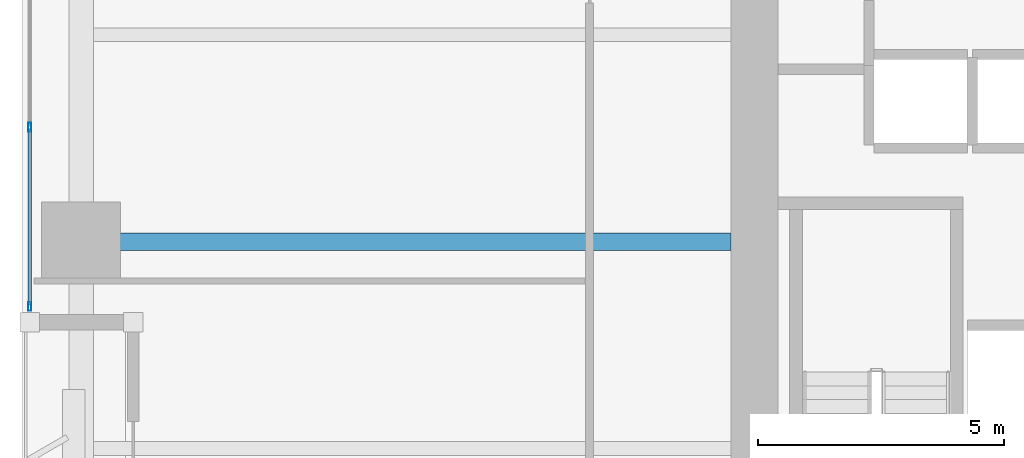
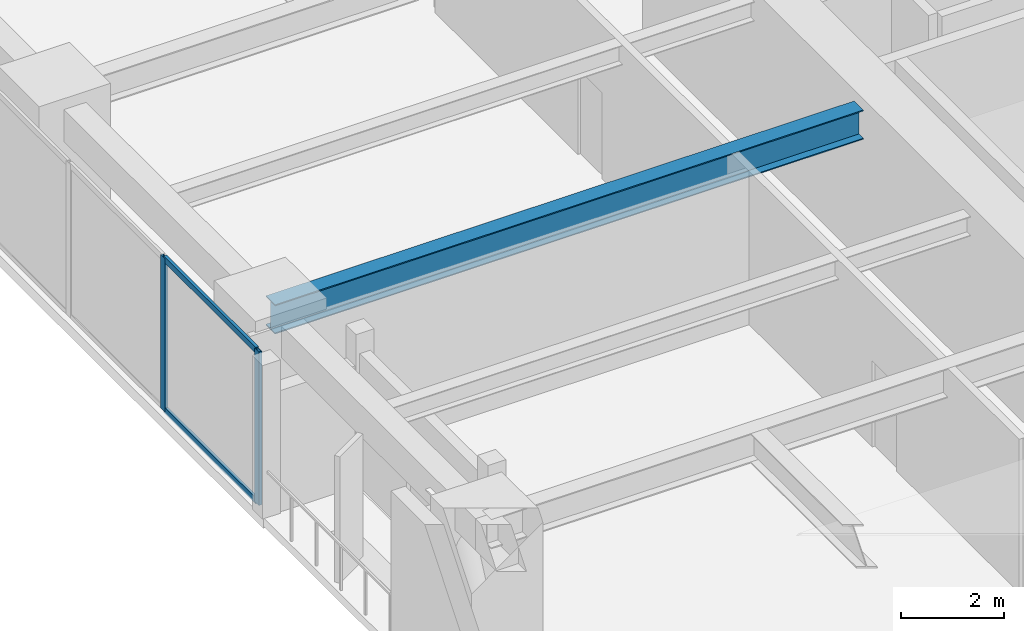
# One storey, part 2 of 28: 4 members, 1 beam, 1 element without a shape of its own.
"""IFC4 building model written with IfcOpenShell, lengths in metres."""

from ifc_helpers import new_model, si_unit, direction, frame, origin, origin_2d, place, context, subcontext, project, spatial, hollow_rectangle, i_section, extrude, material, layer, layer_set, material_profile, profile_set, type_object, element, aggregate, save


model = new_model("IFC4")

# Units and contexts
model_context = context("Model", 3, precision=1e-05, world=origin(), true_north=direction((0.0, 1.0)))
body_context = subcontext(model_context, "Body", "Model", "MODEL_VIEW")
ifc_project = project(units=[si_unit("LENGTHUNIT", "METRE"), si_unit("AREAUNIT", "SQUARE_METRE"), si_unit("VOLUMEUNIT", "CUBIC_METRE"), si_unit("PLANEANGLEUNIT", "RADIAN"), si_unit("MASSUNIT", "GRAM", prefix="KILO")], contexts=[model_context])

# Site, building, storey
site_placement = place(None, origin())
site = spatial("IfcSite", under=ifc_project, at=site_placement, CompositionType="ELEMENT")
building_placement = place(site_placement, origin())
building = spatial("IfcBuilding", under=site, at=building_placement, Name="Kiyonajd Concourse Tower", CompositionType="ELEMENT")
storey_placement = place(building_placement, frame((0.0, 0.0, 64.5)))
storey = spatial("IfcBuildingStorey", under=building, at=storey_placement, Name="L17", CompositionType="ELEMENT", Elevation=64.5)

# Beam
ifc_material_1 = material(Name="Steel ASTM A992 Grade 50", Category="steel")
ifc_material_profile_1 = material_profile(ifc_material_1, i_section(OverallWidth=0.35498046875, OverallDepth=0.695068359375, WebThickness=0.015380859375, FlangeThickness=0.02490234375, at=origin_2d()), Name="W690X217")
ifc_profile_set_1 = profile_set([ifc_material_profile_1], Name="Steel ASTM A992 Grade 50")
beam_type = type_object("IfcBeamType", Name="BM-TWR-690", PredefinedType="BEAM", material=ifc_profile_set_1)
beam_placement = place(storey_placement, frame((19.199951171875, 36.0, 3.29248046875), z_axis=(1.0, 0.0, 0.0), x_axis=(0.0, 1.0, 0.0)))
element("IfcBeam", 1, at=beam_placement, inside=storey, type_object=beam_type, Name="L17 West Lease Girder", PredefinedType="BEAM", context=body_context, shape_type="SweptSolid", body=[
    extrude(i_section(OverallWidth=0.35498046875, OverallDepth=0.695068359375, WebThickness=0.015380859375, FlangeThickness=0.02490234375, at=origin_2d()), origin(), (0.0, 0.0, 1.0), 13.199951171875),
])

# Curtain wall, members
ifc_material_2 = material(Name="Thermally Broken Anodised Aluminium", Category="aluminium")
ifc_layer = layer(ifc_material_2, 0.179931640625)
ifc_layer_set = layer_set([ifc_layer], Name="Thermally Broken Anodised Aluminium")
curtain_wall_type = type_object("IfcCurtainWallType", Name="CW-SYS-02", PredefinedType="NOTDEFINED", material=ifc_layer_set)
curtain_wall_placement = place(storey_placement, origin())
curtain_wall = element("IfcCurtainWall", 2, at=curtain_wall_placement, inside=storey, type_object=curtain_wall_type, Name="L17 Unitised Curtain Wall CW2", PredefinedType="NOTDEFINED")
ifc_material_profile_2 = material_profile(ifc_material_2, hollow_rectangle(XDim=0.06494140625, YDim=0.179931640625, WallThickness=0.00390625, at=origin_2d()), Name="MULL-65x180")
ifc_profile_set_2 = profile_set([ifc_material_profile_2], Name="Thermally Broken Anodised Aluminium")
member_type_1 = type_object("IfcMemberType", Name="MB-CW-MULL1", PredefinedType="MULLION", material=ifc_profile_set_2)
member_1_placement = place(storey_placement, frame((18.159912109375, 34.6826171875, 0.0), z_axis=(0.0, 0.0, 1.0), x_axis=(-1.0, 0.0, 0.0)))
member_1 = element("IfcMember", 3, at=member_1_placement, type_object=member_type_1, Name="CW2 mullion 1", PredefinedType="MULLION", context=body_context, shape_type="SweptSolid", body=[
    extrude(hollow_rectangle(XDim=0.06494140625, YDim=0.179931640625, WallThickness=0.00390625, at=origin_2d()), origin(), (0.0, 0.0, 1.0), 3.639892578125),
])
member_2_placement = place(storey_placement, frame((18.159912109375, 38.3232421875, 0.0), z_axis=(0.0, 0.0, 1.0), x_axis=(-1.0, 0.0, 0.0)))
member_2 = element("IfcMember", 4, at=member_2_placement, type_object=member_type_1, Name="CW2 mullion 2", PredefinedType="MULLION", context=body_context, shape_type="SweptSolid", body=[
    extrude(hollow_rectangle(XDim=0.06494140625, YDim=0.179931640625, WallThickness=0.00390625, at=origin_2d()), origin(), (0.0, 0.0, 1.0), 3.639892578125),
])
ifc_material_profile_3 = material_profile(ifc_material_2, hollow_rectangle(XDim=0.06494140625, YDim=0.139892578125, WallThickness=0.00390625, at=origin_2d()), Name="TRAN-65x140")
ifc_profile_set_3 = profile_set([ifc_material_profile_3], Name="Thermally Broken Anodised Aluminium")
member_type_2 = type_object("IfcMemberType", Name="MB-CW-TRAN1", PredefinedType="USERDEFINED", material=ifc_profile_set_3)
member_3_placement = place(storey_placement, frame((18.159912109375, 34.715087890625, 0.032470703125), z_axis=(0.0, 1.0, 0.0), x_axis=(-1.0, 0.0, 0.0)))
member_3 = element("IfcMember", 5, at=member_3_placement, type_object=member_type_2, Name="CW2 transom 1.1", ObjectType="TRANSOM", PredefinedType="USERDEFINED", context=body_context, shape_type="SweptSolid", body=[
    extrude(hollow_rectangle(XDim=0.06494140625, YDim=0.139892578125, WallThickness=0.00390625, at=origin_2d()), origin(), (0.0, 0.0, 1.0), 3.57568359375),
])
member_4_placement = place(storey_placement, frame((18.159912109375, 34.715087890625, 3.607421875), z_axis=(0.0, 1.0, 0.0), x_axis=(-1.0, 0.0, 0.0)))
member_4 = element("IfcMember", 6, at=member_4_placement, type_object=member_type_2, Name="CW2 transom 1.2", ObjectType="TRANSOM", PredefinedType="USERDEFINED", context=body_context, shape_type="SweptSolid", body=[
    extrude(hollow_rectangle(XDim=0.06494140625, YDim=0.139892578125, WallThickness=0.00390625, at=origin_2d()), origin(), (0.0, 0.0, 1.0), 3.57568359375),
])
aggregate(curtain_wall, [member_1, member_2, member_3, member_4])

save(model, "model.ifc")
